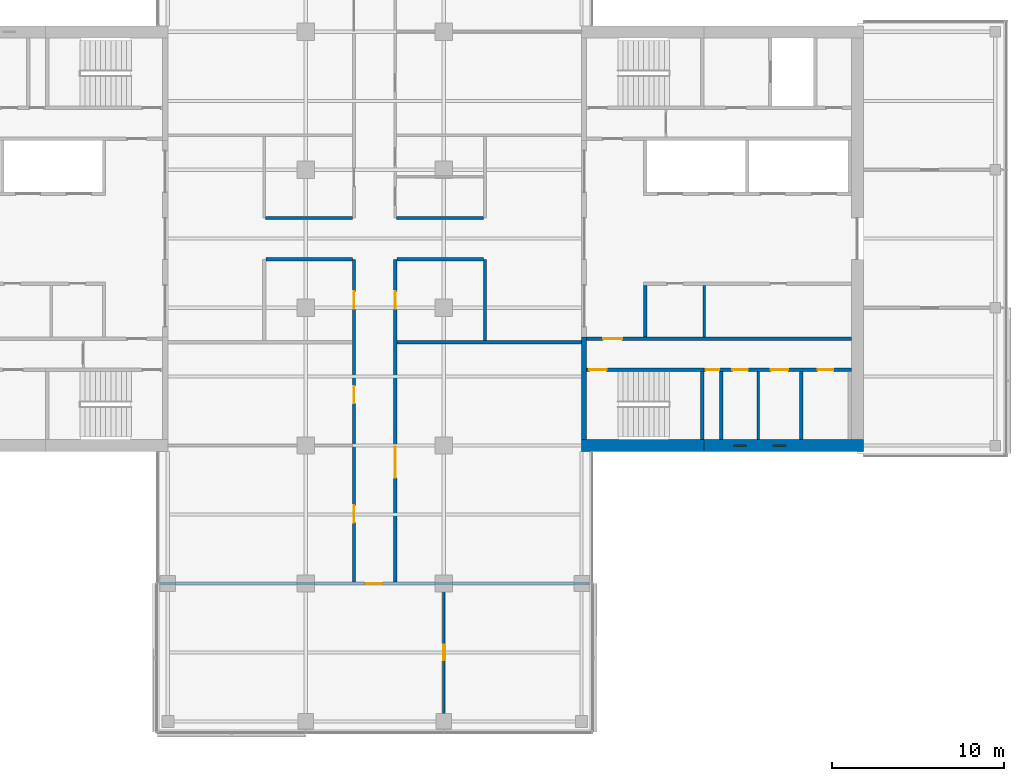
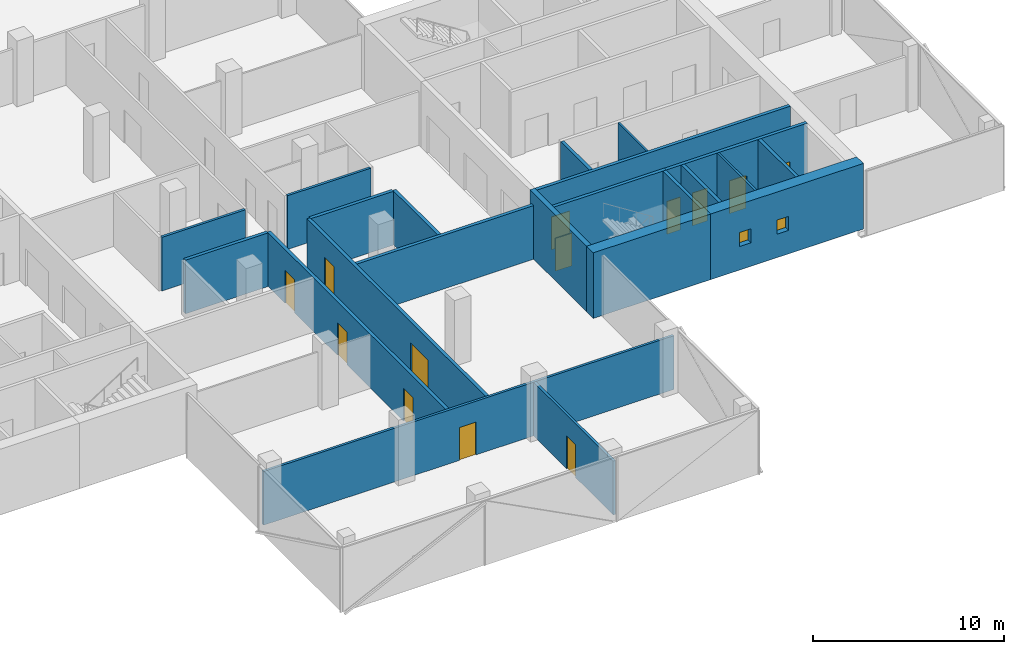
# One storey, part 14 of 22: 22 walls, 13 doors, 2 windows, 15 openings.
"""IFC4 building model written with IfcOpenShell, lengths in metres."""

from ifc_helpers import new_model, si_unit, direction, frame, frame_2d, origin, place, context, subcontext, project, spatial, rectangle, extrude, material, layer, layer_set, constituent, constituent_set, type_object, element, fill, save


model = new_model("IFC4")

# Units and contexts
model_context = context("Model", 3, precision=1e-05, world=origin(), true_north=direction((0.0, 1.0)))
body_context = subcontext(model_context, "Body", "Model", "MODEL_VIEW")
ifc_project = project(units=[si_unit("LENGTHUNIT", "METRE"), si_unit("AREAUNIT", "SQUARE_METRE"), si_unit("VOLUMEUNIT", "CUBIC_METRE"), si_unit("PLANEANGLEUNIT", "RADIAN"), si_unit("MASSUNIT", "GRAM", prefix="KILO")], contexts=[model_context])

# Site, building, storey
site_placement = place(None, origin())
site = spatial("IfcSite", under=ifc_project, at=site_placement, CompositionType="ELEMENT")
building_placement = place(site_placement, origin())
building = spatial("IfcBuilding", under=site, at=building_placement, Name="Crosswind Convention Tower", CompositionType="ELEMENT")
storey_placement = place(building_placement, frame((0.0, 0.0, 150.5)))
storey = spatial("IfcBuildingStorey", under=building, at=storey_placement, Name="L31", CompositionType="ELEMENT", Elevation=150.5)

# Wall
ifc_material_1 = material(Name="Concrete blockwork", Category="masonry")
ifc_layer_1 = layer(ifc_material_1, 0.199951171875)
ifc_layer_set_1 = layer_set([ifc_layer_1], Name="Blockwork partition wall 200")
wall_type_1 = type_object("IfcWallType", Name="Blockwork partition wall 200", PredefinedType="PARTITIONING", material=ifc_layer_set_1)
wall_1_placement = place(storey_placement, frame((145.10009765625, 88.35009765625, 0.0), z_axis=(0.0, 0.0, 1.0), x_axis=(0.0, 1.0, 0.0)))
element("IfcWall", 1, at=wall_1_placement, inside=storey, type_object=wall_type_1, Name="Wall MRSE E L31", PredefinedType="PARTITIONING", context=body_context, shape_type="SweptSolid", body=[
    extrude(rectangle(XDim=3.949951171875, YDim=0.199951171875, at=frame_2d((1.97509765625, 0.0))), origin(), (0.0, 0.0, 1.0), 4.199951171875),
])

# Wall, openings, doors
ifc_layer_2 = layer(ifc_material_1, 0.199951171875)
ifc_layer_set_2 = layer_set([ifc_layer_2], Name="COMPARTMENT WALL 200 BLOCKWORK")
wall_type_2 = type_object("IfcWallType", Name="COMPARTMENT WALL 200 BLOCKWORK", PredefinedType="SOLIDWALL", material=ifc_layer_set_2)
wall_2_placement = place(storey_placement, frame((123.800048828125, 80.074951171875, 0.0), z_axis=(0.0, 0.0, 1.0), x_axis=(0.0, 1.0, 0.0)))
wall_2 = element("IfcWall", 2, at=wall_2_placement, inside=storey, type_object=wall_type_2, Name="Compartment wall WT42", PredefinedType="SOLIDWALL", context=body_context, shape_type="SweptSolid", body=[
    extrude(rectangle(XDim=18.72509765625, YDim=0.199951171875, at=frame_2d((9.362548828125, 0.0))), origin(), (0.0, 0.0, 1.0), 3.436279296875),
])
opening_1_placement = place(wall_2_placement, frame((15.875, 0.0, 0.0)))
opening_1 = element("IfcOpeningElement", 3, at=opening_1_placement, cuts=wall_2, Name="Opening L31-58", PredefinedType="OPENING", context=body_context, shape_type="SweptSolid", body=[
    extrude(rectangle(XDim=1.0, YDim=2.10009765625, at=frame_2d((0.5, 1.050048828125))), frame((0.0, 0.10986328125, 0.0), z_axis=(0.0, -1.0, 0.0), x_axis=(1.0, 0.0, 0.0)), (0.0, 0.0, 1.0), 0.219970703125),
])
opening_2_placement = place(wall_2_placement, frame((10.375, 0.0, 0.0)))
opening_2 = element("IfcOpeningElement", 4, at=opening_2_placement, cuts=wall_2, Name="Opening L31-59", PredefinedType="OPENING", context=body_context, shape_type="SweptSolid", body=[
    extrude(rectangle(XDim=1.0, YDim=2.10009765625, at=frame_2d((0.5, 1.050048828125))), frame((0.0, 0.10986328125, 0.0), z_axis=(0.0, -1.0, 0.0), x_axis=(1.0, 0.0, 0.0)), (0.0, 0.0, 1.0), 0.219970703125),
])
opening_3_placement = place(wall_2_placement, frame((3.449951171875, 0.0, 0.0)))
opening_3 = element("IfcOpeningElement", 5, at=opening_3_placement, cuts=wall_2, Name="Opening L31-60", PredefinedType="OPENING", context=body_context, shape_type="SweptSolid", body=[
    extrude(rectangle(XDim=1.0, YDim=2.10009765625, at=frame_2d((0.5, 1.050048828125))), frame((0.0, 0.10986328125, 0.0), z_axis=(0.0, -1.0, 0.0), x_axis=(1.0, 0.0, 0.0)), (0.0, 0.0, 1.0), 0.219970703125),
])
ifc_material_2 = material(Name="Steel fire door", Category="steel")
door_type_1 = type_object("IfcDoorType", Name="PLANT ROOM DOOR 1000X2100 FD60", OperationType="NOTDEFINED", PredefinedType="DOOR", material=ifc_material_2)
door_1_placement = place(opening_1_placement, origin())
door_1 = element("IfcDoor", 6, at=door_1_placement, inside=storey, type_object=door_type_1, Name="Door L31-58", ObjectType="D43", OperationType="SINGLE_SWING_RIGHT", OverallHeight=2.10009765625, OverallWidth=1.0, PredefinedType="DOOR", context=body_context, shape_type="SweptSolid", body=[
    extrude(rectangle(XDim=1.0, YDim=2.10009765625, at=frame_2d((0.5, 1.050048828125))), frame((0.0, 0.02490234375, 0.0), z_axis=(0.0, -1.0, 0.0), x_axis=(1.0, 0.0, 0.0)), (0.0, 0.0, 1.0), 0.050048828125),
])
fill(opening_1, door_1)
ifc_material_3 = material(Name="Timber fire door", Category="wood")
door_type_2 = type_object("IfcDoorType", Name="TENANCY ENTRANCE DOOR 1000X2100 FD30S", OperationType="NOTDEFINED", PredefinedType="DOOR", material=ifc_material_3)
door_2_placement = place(opening_2_placement, origin())
door_2 = element("IfcDoor", 7, at=door_2_placement, inside=storey, type_object=door_type_2, Name="Door L31-59", ObjectType="D41", OperationType="SINGLE_SWING_RIGHT", OverallHeight=2.10009765625, OverallWidth=1.0, PredefinedType="DOOR", context=body_context, shape_type="SweptSolid", body=[
    extrude(rectangle(XDim=1.0, YDim=2.10009765625, at=frame_2d((0.5, 1.050048828125))), frame((0.0, 0.02490234375, 0.0), z_axis=(0.0, -1.0, 0.0), x_axis=(1.0, 0.0, 0.0)), (0.0, 0.0, 1.0), 0.050048828125),
])
fill(opening_2, door_2)
door_3_placement = place(opening_3_placement, origin())
door_3 = element("IfcDoor", 8, at=door_3_placement, inside=storey, type_object=door_type_2, Name="Door L31-60", ObjectType="D41", OperationType="SINGLE_SWING_RIGHT", OverallHeight=2.10009765625, OverallWidth=1.0, PredefinedType="DOOR", context=body_context, shape_type="SweptSolid", body=[
    extrude(rectangle(XDim=1.0, YDim=2.10009765625, at=frame_2d((0.5, 1.050048828125))), frame((0.0, 0.02490234375, 0.0), z_axis=(0.0, -1.0, 0.0), x_axis=(1.0, 0.0, 0.0)), (0.0, 0.0, 1.0), 0.050048828125),
])
fill(opening_3, door_3)

wall_3_placement = place(storey_placement, frame((126.199951171875, 80.074951171875, 0.0), z_axis=(0.0, 0.0, 1.0), x_axis=(0.0, 1.0, 0.0)))
wall_3 = element("IfcWall", 9, at=wall_3_placement, inside=storey, type_object=wall_type_2, Name="Compartment wall WT42", PredefinedType="SOLIDWALL", context=body_context, shape_type="SweptSolid", body=[
    extrude(rectangle(XDim=18.72509765625, YDim=0.199951171875, at=frame_2d((9.362548828125, 0.0))), origin(), (0.0, 0.0, 1.0), 3.436279296875),
])
opening_4_placement = place(wall_3_placement, frame((15.875, 0.0, 0.0)))
opening_4 = element("IfcOpeningElement", 10, at=opening_4_placement, cuts=wall_3, Name="Opening L31-54", PredefinedType="OPENING", context=body_context, shape_type="SweptSolid", body=[
    extrude(rectangle(XDim=1.0, YDim=2.10009765625, at=frame_2d((0.5, 1.050048828125))), frame((0.0, 0.10986328125, 0.0), z_axis=(0.0, -1.0, 0.0), x_axis=(1.0, 0.0, 0.0)), (0.0, 0.0, 1.0), 0.219970703125),
])
opening_5_placement = place(wall_3_placement, frame((6.050048828125, 0.0, 0.0)))
opening_5 = element("IfcOpeningElement", 11, at=opening_5_placement, cuts=wall_3, Name="Opening L31-55", PredefinedType="OPENING", context=body_context, shape_type="SweptSolid", body=[
    extrude(rectangle(XDim=1.800048828125, YDim=2.10009765625, at=frame_2d((0.89990234375, 1.050048828125))), frame((0.0, 0.10986328125, 0.0), z_axis=(0.0, -1.0, 0.0), x_axis=(1.0, 0.0, 0.0)), (0.0, 0.0, 1.0), 0.219970703125),
])
door_4_placement = place(opening_4_placement, frame((1.0, 0.0, 0.0), z_axis=(0.0, 0.0, 1.0), x_axis=(-1.0, 0.0, 0.0)))
door_4 = element("IfcDoor", 12, at=door_4_placement, inside=storey, type_object=door_type_1, Name="Door L31-54", ObjectType="D43", OperationType="SINGLE_SWING_LEFT", OverallHeight=2.10009765625, OverallWidth=1.0, PredefinedType="DOOR", context=body_context, shape_type="SweptSolid", body=[
    extrude(rectangle(XDim=1.0, YDim=2.10009765625, at=frame_2d((0.5, 1.050048828125))), frame((0.0, 0.02490234375, 0.0), z_axis=(0.0, -1.0, 0.0), x_axis=(1.0, 0.0, 0.0)), (0.0, 0.0, 1.0), 0.050048828125),
])
fill(opening_4, door_4)
door_type_3 = type_object("IfcDoorType", Name="TENANCY ENTRANCE DOUBLE DOOR 1800X2100 FD30S", OperationType="DOUBLE_DOOR_SINGLE_SWING", PredefinedType="DOOR", material=ifc_material_3)
door_5_placement = place(opening_5_placement, frame((1.800048828125, 0.0, 0.0), z_axis=(0.0, 0.0, 1.0), x_axis=(-1.0, 0.0, 0.0)))
door_5 = element("IfcDoor", 13, at=door_5_placement, inside=storey, type_object=door_type_3, Name="Door L31-55", ObjectType="D42", OperationType="DOUBLE_DOOR_SINGLE_SWING", OverallHeight=2.10009765625, OverallWidth=1.800048828125, PredefinedType="DOOR", context=body_context, shape_type="SweptSolid", body=[
    extrude(rectangle(XDim=1.800048828125, YDim=2.10009765625, at=frame_2d((0.89990234375, 1.050048828125))), frame((0.0, 0.02490234375, 0.0), z_axis=(0.0, -1.0, 0.0), x_axis=(1.0, 0.0, 0.0)), (0.0, 0.0, 1.0), 0.050048828125),
])
fill(opening_5, door_5)

# Walls
wall_4_placement = place(storey_placement, frame((131.39990234375, 94.10009765625, 0.0), z_axis=(0.0, 0.0, 1.0), x_axis=(0.0, 1.0, 0.0)))
element("IfcWall", 14, at=wall_4_placement, inside=storey, type_object=wall_type_2, Name="Compartment wall WT42", PredefinedType="SOLIDWALL", context=body_context, shape_type="SweptSolid", body=[
    extrude(rectangle(XDim=4.699951171875, YDim=0.199951171875, at=frame_2d((2.35009765625, 0.0))), origin(), (0.0, 0.0, 1.0), 3.436279296875),
])
wall_5_placement = place(storey_placement, frame((126.300048828125, 94.0, 0.0), z_axis=(0.0, 0.0, 1.0), x_axis=(1.0, 0.0, 0.0)))
element("IfcWall", 15, at=wall_5_placement, inside=storey, type_object=wall_type_2, Name="Compartment wall WT42", PredefinedType="SOLIDWALL", context=body_context, shape_type="SweptSolid", body=[
    extrude(rectangle(XDim=10.699951171875, YDim=0.199951171875, at=frame_2d((5.35009765625, 0.0))), origin(), (0.0, 0.0, 1.0), 3.436279296875),
])
for number, where, z_axis, x_axis, name in (
    (16, (118.699951171875, 98.800048828125, 0.0), (0.0, 0.0, 1.0), (1.0, 0.0, 0.0), "Compartment wall WT42"),
    (17, (126.300048828125, 98.800048828125, 0.0), (0.0, 0.0, 1.0), (1.0, 0.0, 0.0), "Compartment wall WT42"),
):
    element("IfcWall", number, at=place(storey_placement, frame(where, z_axis=z_axis, x_axis=x_axis)), inside=storey, type_object=wall_type_2, Name=name, PredefinedType="SOLIDWALL", context=body_context, shape_type="SweptSolid", body=[
        extrude(rectangle(XDim=5.0, YDim=0.199951171875, at=frame_2d((2.5, 0.0))), origin(), (0.0, 0.0, 1.0), 3.436279296875),
    ])
ifc_material_4 = material(Name="Concrete C50/60", Category="concrete")
ifc_layer_3 = layer(ifc_material_4, 0.300048828125)
ifc_layer_set_3 = layer_set([ifc_layer_3], Name="Concrete C50/60")
wall_type_3 = type_object("IfcWallType", Name="Concrete inner core wall 300", PredefinedType="SHEAR", material=ifc_layer_set_3)
wall_6_placement = place(storey_placement, frame((137.14990234375, 88.35009765625, 0.0), z_axis=(0.0, 0.0, 1.0), x_axis=(0.0, 1.0, 0.0)))
element("IfcWall", 18, at=wall_6_placement, inside=storey, type_object=wall_type_3, Name="Wall EM E L31", PredefinedType="SHEAR", context=body_context, shape_type="SweptSolid", body=[
    extrude(rectangle(XDim=5.949951171875, YDim=0.300048828125, at=frame_2d((2.97509765625, 0.0))), origin(), (0.0, 0.0, 1.0), 4.199951171875),
])
ifc_layer_4 = layer(ifc_material_4, 0.199951171875)
ifc_layer_set_4 = layer_set([ifc_layer_4], Name="Concrete C50/60")
wall_type_4 = type_object("IfcWallType", Name="Concrete shaft and stair wall 200", PredefinedType="SHEAR", material=ifc_layer_set_4)
wall_7_placement = place(storey_placement, frame((140.699951171875, 94.300048828125, 0.0), z_axis=(0.0, 0.0, 1.0), x_axis=(0.0, 1.0, 0.0)))
element("IfcWall", 19, at=wall_7_placement, inside=storey, type_object=wall_type_4, Name="Wall RMEND E L31", PredefinedType="SHEAR", context=body_context, shape_type="SweptSolid", body=[
    extrude(rectangle(XDim=3.0, YDim=0.199951171875, at=frame_2d((1.5, 0.0))), origin(), (0.0, 0.0, 1.0), 4.199951171875),
])

# Wall, opening, door
wall_8_placement = place(storey_placement, frame((137.300048828125, 94.199951171875, 0.0), z_axis=(0.0, 0.0, 1.0), x_axis=(1.0, 0.0, 0.0)))
wall_8 = element("IfcWall", 20, at=wall_8_placement, inside=storey, type_object=wall_type_4, Name="Wall HM E L31", PredefinedType="SHEAR", context=body_context, shape_type="SweptSolid", body=[
    extrude(rectangle(XDim=15.349853515625, YDim=0.199951171875, at=frame_2d((7.6748046875, 0.0))), origin(), (0.0, 0.0, 1.0), 4.199951171875),
])
opening_6_placement = place(wall_8_placement, frame((0.949951171875, 0.0, 0.0)))
opening_6 = element("IfcOpeningElement", 21, at=opening_6_placement, cuts=wall_8, Name="Opening D104", PredefinedType="OPENING", context=body_context, shape_type="SweptSolid", body=[
    extrude(rectangle(XDim=1.10009765625, YDim=2.10009765625, at=frame_2d((0.550048828125, 1.050048828125))), frame((0.0, 0.10986328125, 0.0), z_axis=(0.0, -1.0, 0.0), x_axis=(1.0, 0.0, 0.0)), (0.0, 0.0, 1.0), 0.219970703125),
])
door_type_4 = type_object("IfcDoorType", Name="Fire-rated single door 1100x2100", OperationType="NOTDEFINED", PredefinedType="DOOR", material=ifc_material_2)
door_6_placement = place(opening_6_placement, origin())
door_6 = element("IfcDoor", 22, at=door_6_placement, inside=storey, type_object=door_type_4, Name="Corridor door L31", ObjectType="D104", OperationType="SINGLE_SWING_LEFT", OverallHeight=2.10009765625, OverallWidth=1.10009765625, PredefinedType="DOOR", context=body_context, shape_type="SweptSolid", body=[
    extrude(rectangle(XDim=1.10009765625, YDim=2.10009765625, at=frame_2d((0.550048828125, 1.050048828125))), frame((0.0, 0.02490234375, 0.0), z_axis=(0.0, -1.0, 0.0), x_axis=(1.0, 0.0, 0.0)), (0.0, 0.0, 1.0), 0.050048828125),
])
fill(opening_6, door_6)

# Walls
for number, where, z_axis, x_axis, name in (
    (23, (144.0, 88.35009765625, 0.0), (0.0, 0.0, 1.0), (0.0, 1.0, 0.0), "Wall MSE E L31"),
    (24, (149.75, 88.35009765625, 0.0), (0.0, 0.0, 1.0), (0.0, 1.0, 0.0), "Wall MFSW E L31"),
):
    element("IfcWall", number, at=place(storey_placement, frame(where, z_axis=z_axis, x_axis=x_axis)), inside=storey, type_object=wall_type_4, Name=name, PredefinedType="SHEAR", context=body_context, shape_type="SweptSolid", body=[
        extrude(rectangle(XDim=3.949951171875, YDim=0.199951171875, at=frame_2d((1.97509765625, 0.0))), origin(), (0.0, 0.0, 1.0), 4.199951171875),
    ])

# Wall, opening, door
wall_9_placement = place(storey_placement, frame((137.300048828125, 92.39990234375, 0.0), z_axis=(0.0, 0.0, 1.0), x_axis=(1.0, 0.0, 0.0)))
wall_9 = element("IfcWall", 25, at=wall_9_placement, inside=storey, type_object=wall_type_4, Name="Wall MCW E L31", PredefinedType="SHEAR", context=body_context, shape_type="SweptSolid", body=[
    extrude(rectangle(XDim=6.800048828125, YDim=0.199951171875, at=frame_2d((3.39990234375, 0.0))), origin(), (0.0, 0.0, 1.0), 4.199951171875),
])
opening_7_placement = place(wall_9_placement, frame((0.14990234375, 0.0, 0.0)))
opening_7 = element("IfcOpeningElement", 26, at=opening_7_placement, cuts=wall_9, Name="Opening D103", PredefinedType="OPENING", context=body_context, shape_type="SweptSolid", body=[
    extrude(rectangle(XDim=1.0, YDim=2.10009765625, at=frame_2d((0.5, 1.050048828125))), frame((0.0, 0.10986328125, 0.0), z_axis=(0.0, -1.0, 0.0), x_axis=(1.0, 0.0, 0.0)), (0.0, 0.0, 1.0), 0.219970703125),
])
door_type_5 = type_object("IfcDoorType", Name="Fire-rated single door 1000x2100", OperationType="NOTDEFINED", PredefinedType="DOOR", material=ifc_material_2)
door_7_placement = place(opening_7_placement, frame((1.0, 0.0, 0.0), z_axis=(0.0, 0.0, 1.0), x_axis=(-1.0, 0.0, 0.0)))
door_7 = element("IfcDoor", 27, at=door_7_placement, inside=storey, type_object=door_type_5, Name="Stair ST2 door L31", ObjectType="D103", OperationType="SINGLE_SWING_RIGHT", OverallHeight=2.10009765625, OverallWidth=1.0, PredefinedType="DOOR", context=body_context, shape_type="SweptSolid", body=[
    extrude(rectangle(XDim=1.0, YDim=2.10009765625, at=frame_2d((0.5, 1.050048828125))), frame((0.0, 0.02490234375, 0.0), z_axis=(0.0, -1.0, 0.0), x_axis=(1.0, 0.0, 0.0)), (0.0, 0.0, 1.0), 0.050048828125),
])
fill(opening_7, door_7)

# Wall, openings, doors
wall_10_placement = place(storey_placement, frame((144.10009765625, 92.39990234375, 0.0), z_axis=(0.0, 0.0, 1.0), x_axis=(1.0, 0.0, 0.0)))
wall_10 = element("IfcWall", 28, at=wall_10_placement, inside=storey, type_object=wall_type_4, Name="Wall MCX E L31", PredefinedType="SHEAR", context=body_context, shape_type="SweptSolid", body=[
    extrude(rectangle(XDim=8.5498046875, YDim=0.199951171875, at=frame_2d((4.27490234375, 0.0))), origin(), (0.0, 0.0, 1.0), 4.199951171875),
])
opening_8_placement = place(wall_10_placement, frame((0.10009765625, 0.0, 0.0)))
opening_8 = element("IfcOpeningElement", 29, at=opening_8_placement, cuts=wall_10, Name="Opening D105", PredefinedType="OPENING", context=body_context, shape_type="SweptSolid", body=[
    extrude(rectangle(XDim=0.800048828125, YDim=2.10009765625, at=frame_2d((0.39990234375, 1.050048828125))), frame((0.0, 0.10986328125, 0.0), z_axis=(0.0, -1.0, 0.0), x_axis=(1.0, 0.0, 0.0)), (0.0, 0.0, 1.0), 0.219970703125),
])
opening_9_placement = place(wall_10_placement, frame((1.642333984375, 0.0, 0.0)))
opening_9 = element("IfcOpeningElement", 30, at=opening_9_placement, cuts=wall_10, Name="Opening D106", PredefinedType="OPENING", context=body_context, shape_type="SweptSolid", body=[
    extrude(rectangle(XDim=0.89990234375, YDim=2.10009765625, at=frame_2d((0.449951171875, 1.050048828125))), frame((0.0, 0.10986328125, 0.0), z_axis=(0.0, -1.0, 0.0), x_axis=(1.0, 0.0, 0.0)), (0.0, 0.0, 1.0), 0.219970703125),
])
opening_10_placement = place(wall_10_placement, frame((3.879638671875, 0.0, 0.0)))
opening_10 = element("IfcOpeningElement", 31, at=opening_10_placement, cuts=wall_10, Name="Opening D103", PredefinedType="OPENING", context=body_context, shape_type="SweptSolid", body=[
    extrude(rectangle(XDim=1.0, YDim=2.10009765625, at=frame_2d((0.5, 1.050048828125))), frame((0.0, 0.10986328125, 0.0), z_axis=(0.0, -1.0, 0.0), x_axis=(1.0, 0.0, 0.0)), (0.0, 0.0, 1.0), 0.219970703125),
])
opening_11_placement = place(wall_10_placement, frame((6.60009765625, 0.0, 0.0)))
opening_11 = element("IfcOpeningElement", 32, at=opening_11_placement, cuts=wall_10, Name="Opening D106", PredefinedType="OPENING", context=body_context, shape_type="SweptSolid", body=[
    extrude(rectangle(XDim=0.89990234375, YDim=2.10009765625, at=frame_2d((0.449951171875, 1.050048828125))), frame((0.0, 0.10986328125, 0.0), z_axis=(0.0, -1.0, 0.0), x_axis=(1.0, 0.0, 0.0)), (0.0, 0.0, 1.0), 0.219970703125),
])
door_8_placement = place(opening_10_placement, frame((1.0, 0.0, 0.0), z_axis=(0.0, 0.0, 1.0), x_axis=(-1.0, 0.0, 0.0)))
door_8 = element("IfcDoor", 33, at=door_8_placement, inside=storey, type_object=door_type_5, Name="Door to accessible wc L31", ObjectType="D103", OperationType="SINGLE_SWING_LEFT", OverallHeight=2.10009765625, OverallWidth=1.0, PredefinedType="DOOR", context=body_context, shape_type="SweptSolid", body=[
    extrude(rectangle(XDim=1.0, YDim=2.10009765625, at=frame_2d((0.5, 1.050048828125))), frame((0.0, 0.02490234375, 0.0), z_axis=(0.0, -1.0, 0.0), x_axis=(1.0, 0.0, 0.0)), (0.0, 0.0, 1.0), 0.050048828125),
])
fill(opening_10, door_8)
door_type_6 = type_object("IfcDoorType", Name="Riser access door 800x2100", OperationType="NOTDEFINED", PredefinedType="DOOR", material=ifc_material_2)
door_9_placement = place(opening_8_placement, frame((0.800048828125, 0.0, 0.0), z_axis=(0.0, 0.0, 1.0), x_axis=(-1.0, 0.0, 0.0)))
door_9 = element("IfcDoor", 34, at=door_9_placement, inside=storey, type_object=door_type_6, Name="Riser door L31", ObjectType="D105", OperationType="SINGLE_SWING_LEFT", OverallHeight=2.10009765625, OverallWidth=0.800048828125, PredefinedType="DOOR", context=body_context, shape_type="SweptSolid", body=[
    extrude(rectangle(XDim=0.800048828125, YDim=2.10009765625, at=frame_2d((0.39990234375, 1.050048828125))), frame((0.0, 0.02490234375, 0.0), z_axis=(0.0, -1.0, 0.0), x_axis=(1.0, 0.0, 0.0)), (0.0, 0.0, 1.0), 0.050048828125),
])
fill(opening_8, door_9)
ifc_material_5 = material(Name="Timber door", Category="wood")
door_type_7 = type_object("IfcDoorType", Name="Single leaf door 900x2100", OperationType="NOTDEFINED", PredefinedType="DOOR", material=ifc_material_5)
door_10_placement = place(opening_9_placement, frame((0.89990234375, 0.0, 0.0), z_axis=(0.0, 0.0, 1.0), x_axis=(-1.0, 0.0, 0.0)))
door_10 = element("IfcDoor", 35, at=door_10_placement, inside=storey, type_object=door_type_7, Name="Door to wc L31", ObjectType="D106", OperationType="SINGLE_SWING_LEFT", OverallHeight=2.10009765625, OverallWidth=0.89990234375, PredefinedType="DOOR", context=body_context, shape_type="SweptSolid", body=[
    extrude(rectangle(XDim=0.89990234375, YDim=2.10009765625, at=frame_2d((0.449951171875, 1.050048828125))), frame((0.0, 0.02490234375, 0.0), z_axis=(0.0, -1.0, 0.0), x_axis=(1.0, 0.0, 0.0)), (0.0, 0.0, 1.0), 0.050048828125),
])
fill(opening_9, door_10)
door_11_placement = place(opening_11_placement, frame((0.89990234375, 0.0, 0.0), z_axis=(0.0, 0.0, 1.0), x_axis=(-1.0, 0.0, 0.0)))
door_11 = element("IfcDoor", 36, at=door_11_placement, inside=storey, type_object=door_type_7, Name="Door to accessible wc L31", ObjectType="D106", OperationType="SINGLE_SWING_LEFT", OverallHeight=2.10009765625, OverallWidth=0.89990234375, PredefinedType="DOOR", context=body_context, shape_type="SweptSolid", body=[
    extrude(rectangle(XDim=0.89990234375, YDim=2.10009765625, at=frame_2d((0.449951171875, 1.050048828125))), frame((0.0, 0.02490234375, 0.0), z_axis=(0.0, -1.0, 0.0), x_axis=(1.0, 0.0, 0.0)), (0.0, 0.0, 1.0), 0.050048828125),
])
fill(opening_11, door_11)

# Walls
ifc_material_6 = material(Name="Gypsum plasterboard partition", Category="gypsum")
ifc_layer_5 = layer(ifc_material_6, 0.125)
ifc_layer_set_5 = layer_set([ifc_layer_5], Name="Drywall partition wall 125")
wall_type_5 = type_object("IfcWallType", Name="Drywall partition wall 125", PredefinedType="PARTITIONING", material=ifc_layer_set_5)
wall_11_placement = place(storey_placement, frame((144.117919921875, 94.300048828125, 0.0), z_axis=(0.0, 0.0, 1.0), x_axis=(0.0, 1.0, 0.0)))
element("IfcWall", 37, at=wall_11_placement, inside=storey, type_object=wall_type_5, Name="Wall RMP1 E L31", PredefinedType="PARTITIONING", context=body_context, shape_type="SweptSolid", body=[
    extrude(rectangle(XDim=3.0, YDim=0.125, at=frame_2d((1.5, 0.0))), origin(), (0.0, 0.0, 1.0), 4.199951171875),
])
wall_12_placement = place(storey_placement, frame((147.2470703125, 88.35009765625, 0.0), z_axis=(0.0, 0.0, 1.0), x_axis=(0.0, 1.0, 0.0)))
element("IfcWall", 38, at=wall_12_placement, inside=storey, type_object=wall_type_5, Name="Wall MWP1 E L31", PredefinedType="PARTITIONING", context=body_context, shape_type="SweptSolid", body=[
    extrude(rectangle(XDim=3.949951171875, YDim=0.125, at=frame_2d((1.97509765625, 0.0))), origin(), (0.0, 0.0, 1.0), 4.199951171875),
])

# Wall, opening, door
ifc_material_7 = material(Name="Fire-board partition with mineral wool", Category="gypsum")
ifc_layer_6 = layer(ifc_material_7, 0.14990234375)
ifc_layer_set_6 = layer_set([ifc_layer_6], Name="TENANCY WALL 150 TWO-HOUR BOARD")
wall_type_6 = type_object("IfcWallType", Name="TENANCY WALL 150 TWO-HOUR BOARD", PredefinedType="PARTITIONING", material=ifc_layer_set_6)
wall_13_placement = place(storey_placement, frame((129.0, 71.580078125, 0.0), z_axis=(0.0, 0.0, 1.0), x_axis=(0.0, 1.0, 0.0)))
wall_13 = element("IfcWall", 39, at=wall_13_placement, inside=storey, type_object=wall_type_6, Name="Tenancy wall WT41", PredefinedType="PARTITIONING", context=body_context, shape_type="SweptSolid", body=[
    extrude(rectangle(XDim=8.344970703125, YDim=0.14990234375, at=frame_2d((4.17236328125, 0.0))), origin(), (0.0, 0.0, 1.0), 3.436279296875),
])
opening_12_placement = place(wall_13_placement, frame((3.969970703125, 0.0, 0.0)))
opening_12 = element("IfcOpeningElement", 40, at=opening_12_placement, cuts=wall_13, Name="Opening L31-63", PredefinedType="OPENING", context=body_context, shape_type="SweptSolid", body=[
    extrude(rectangle(XDim=0.89990234375, YDim=2.10009765625, at=frame_2d((0.449951171875, 1.050048828125))), frame((0.0, 0.0849609375, 0.0), z_axis=(0.0, -1.0, 0.0), x_axis=(1.0, 0.0, 0.0)), (0.0, 0.0, 1.0), 0.169921875),
])
door_type_8 = type_object("IfcDoorType", Name="INTERNAL DOOR 900X2100", OperationType="NOTDEFINED", PredefinedType="DOOR", material=ifc_material_5)
door_12_placement = place(opening_12_placement, frame((0.89990234375, 0.0, 0.0), z_axis=(0.0, 0.0, 1.0), x_axis=(-1.0, 0.0, 0.0)))
door_12 = element("IfcDoor", 41, at=door_12_placement, inside=storey, type_object=door_type_8, Name="Door L31-63", ObjectType="D40", OperationType="SINGLE_SWING_LEFT", OverallHeight=2.10009765625, OverallWidth=0.89990234375, PredefinedType="DOOR", context=body_context, shape_type="SweptSolid", body=[
    extrude(rectangle(XDim=0.89990234375, YDim=2.10009765625, at=frame_2d((0.449951171875, 1.050048828125))), frame((0.0, 0.02490234375, 0.0), z_axis=(0.0, -1.0, 0.0), x_axis=(1.0, 0.0, 0.0)), (0.0, 0.0, 1.0), 0.050048828125),
])
fill(opening_12, door_12)

wall_14_placement = place(storey_placement, frame((112.580078125, 80.0, 0.0), z_axis=(0.0, 0.0, 1.0), x_axis=(1.0, 0.0, 0.0)))
wall_14 = element("IfcWall", 42, at=wall_14_placement, inside=storey, type_object=wall_type_6, Name="Tenancy wall WT41", PredefinedType="PARTITIONING", context=body_context, shape_type="SweptSolid", body=[
    extrude(rectangle(XDim=24.83984375, YDim=0.14990234375, at=frame_2d((12.419921875, 0.0))), origin(), (0.0, 0.0, 1.0), 3.436279296875),
])
opening_13_placement = place(wall_14_placement, frame((11.8701171875, 0.0, 0.0)))
opening_13 = element("IfcOpeningElement", 43, at=opening_13_placement, cuts=wall_14, Name="Opening L31-62", PredefinedType="OPENING", context=body_context, shape_type="SweptSolid", body=[
    extrude(rectangle(XDim=1.0, YDim=2.10009765625, at=frame_2d((0.5, 1.050048828125))), frame((0.0, 0.0849609375, 0.0), z_axis=(0.0, -1.0, 0.0), x_axis=(1.0, 0.0, 0.0)), (0.0, 0.0, 1.0), 0.169921875),
])
door_13_placement = place(opening_13_placement, frame((1.0, 0.0, 0.0), z_axis=(0.0, 0.0, 1.0), x_axis=(-1.0, 0.0, 0.0)))
door_13 = element("IfcDoor", 44, at=door_13_placement, inside=storey, type_object=door_type_2, Name="Door L31-62", ObjectType="D41", OperationType="SINGLE_SWING_RIGHT", OverallHeight=2.10009765625, OverallWidth=1.0, PredefinedType="DOOR", context=body_context, shape_type="SweptSolid", body=[
    extrude(rectangle(XDim=1.0, YDim=2.10009765625, at=frame_2d((0.5, 1.050048828125))), frame((0.0, 0.02490234375, 0.0), z_axis=(0.0, -1.0, 0.0), x_axis=(1.0, 0.0, 0.0)), (0.0, 0.0, 1.0), 0.050048828125),
])
fill(opening_13, door_13)

# Walls
for number, where, z_axis, x_axis, name in (
    (45, (118.675048828125, 101.199951171875, 0.0), (0.0, 0.0, 1.0), (1.0, 0.0, 0.0), "Tenancy wall WT41"),
    (46, (126.27490234375, 101.199951171875, 0.0), (0.0, 0.0, 1.0), (1.0, 0.0, 0.0), "Tenancy wall WT41"),
):
    element("IfcWall", number, at=place(storey_placement, frame(where, z_axis=z_axis, x_axis=x_axis)), inside=storey, type_object=wall_type_6, Name=name, PredefinedType="PARTITIONING", context=body_context, shape_type="SweptSolid", body=[
        extrude(rectangle(XDim=5.050048828125, YDim=0.14990234375, at=frame_2d((2.52490234375, 0.0))), origin(), (0.0, 0.0, 1.0), 3.436279296875),
    ])
ifc_material_8 = material(Name="Concrete C60/75", Category="concrete")
ifc_constituent_1 = constituent(ifc_material_8, Name="Structure")
ifc_material_9 = material(Name="Terracotta rainscreen", Category="ceramic")
ifc_constituent_2 = constituent(ifc_material_9, Name="Facing")
ifc_constituent_set = constituent_set(constituents=[ifc_constituent_1, ifc_constituent_2], Name="Concrete C60/75, Terracotta rainscreen")
wall_type_7 = type_object("IfcWallType", Name="Terracotta rainscreen on concrete core wall 700", PredefinedType="SHEAR", material=ifc_constituent_set)
wall_15_placement = place(storey_placement, frame((137.0, 88.0, 0.0), z_axis=(0.0, 0.0, 1.0), x_axis=(1.0, 0.0, 0.0)))
element("IfcWall", 47, at=wall_15_placement, inside=storey, type_object=wall_type_7, Name="Wall S1 E L31", PredefinedType="SHEAR", context=body_context, shape_type="SweptSolid", body=[
    extrude(rectangle(XDim=7.10009765625, YDim=0.699951171875, at=frame_2d((3.550048828125, 0.0))), origin(), (0.0, 0.0, 1.0), 4.199951171875),
])

# Wall, openings, windows
wall_16_placement = place(storey_placement, frame((144.10009765625, 88.0, 0.0), z_axis=(0.0, 0.0, 1.0), x_axis=(1.0, 0.0, 0.0)))
wall_16 = element("IfcWall", 48, at=wall_16_placement, inside=storey, type_object=wall_type_7, Name="Wall S2 E L31", PredefinedType="SHEAR", context=body_context, shape_type="SweptSolid", body=[
    extrude(rectangle(XDim=9.25, YDim=0.699951171875, at=frame_2d((4.625, 0.0))), origin(), (0.0, 0.0, 1.0), 4.199951171875),
])
opening_14_placement = place(wall_16_placement, frame((1.7421875, 0.0, 1.5)))
opening_14 = element("IfcOpeningElement", 49, at=opening_14_placement, cuts=wall_16, Name="Opening W2", PredefinedType="OPENING", context=body_context, shape_type="SweptSolid", body=[
    extrude(rectangle(XDim=0.699951171875, YDim=0.89990234375, at=frame_2d((0.35009765625, 0.449951171875))), frame((0.0, 0.35986328125, 0.0), z_axis=(0.0, -1.0, 0.0), x_axis=(1.0, 0.0, 0.0)), (0.0, 0.0, 1.0), 0.719970703125),
])
opening_15_placement = place(wall_16_placement, frame((4.02978515625, 0.0, 1.5)))
opening_15 = element("IfcOpeningElement", 50, at=opening_15_placement, cuts=wall_16, Name="Opening W2", PredefinedType="OPENING", context=body_context, shape_type="SweptSolid", body=[
    extrude(rectangle(XDim=0.699951171875, YDim=0.89990234375, at=frame_2d((0.35009765625, 0.449951171875))), frame((0.0, 0.35986328125, 0.0), z_axis=(0.0, -1.0, 0.0), x_axis=(1.0, 0.0, 0.0)), (0.0, 0.0, 1.0), 0.719970703125),
])
ifc_material_10 = material(Name="Obscure glass in aluminium frame", Category="aluminium")
window_type = type_object("IfcWindowType", Name="WC window 700x900", PartitioningType="SINGLE_PANEL", PredefinedType="WINDOW", material=ifc_material_10)
window_1_placement = place(opening_14_placement, origin())
window_1 = element("IfcWindow", 51, at=window_1_placement, inside=storey, type_object=window_type, Name="WC window L31", ObjectType="W2", OverallHeight=0.89990234375, OverallWidth=0.699951171875, PartitioningType="SINGLE_PANEL", PredefinedType="WINDOW", context=body_context, shape_type="SweptSolid", body=[
    extrude(rectangle(XDim=0.699951171875, YDim=0.89990234375, at=frame_2d((0.35009765625, 0.449951171875))), frame((0.0, 0.030029296875, 0.0), z_axis=(0.0, -1.0, 0.0), x_axis=(1.0, 0.0, 0.0)), (0.0, 0.0, 1.0), 0.06005859375),
])
fill(opening_14, window_1)
window_2_placement = place(opening_15_placement, origin())
window_2 = element("IfcWindow", 52, at=window_2_placement, inside=storey, type_object=window_type, Name="WC window L31", ObjectType="W2", OverallHeight=0.89990234375, OverallWidth=0.699951171875, PartitioningType="SINGLE_PANEL", PredefinedType="WINDOW", context=body_context, shape_type="SweptSolid", body=[
    extrude(rectangle(XDim=0.699951171875, YDim=0.89990234375, at=frame_2d((0.35009765625, 0.449951171875))), frame((0.0, 0.030029296875, 0.0), z_axis=(0.0, -1.0, 0.0), x_axis=(1.0, 0.0, 0.0)), (0.0, 0.0, 1.0), 0.06005859375),
])
fill(opening_15, window_2)

save(model, "model.ifc")
